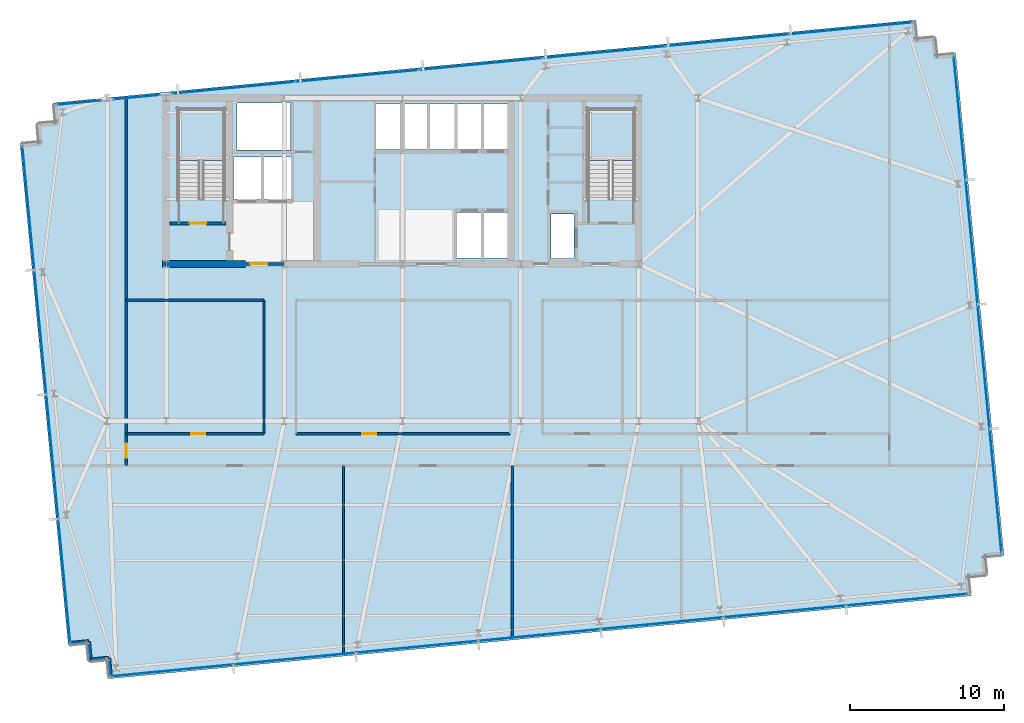
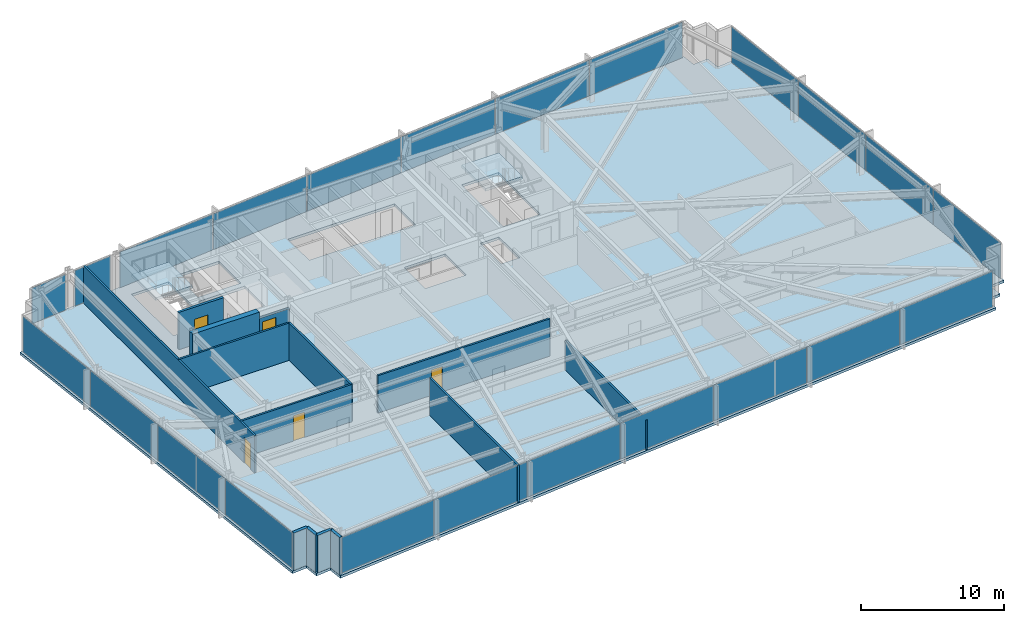
# One storey, part 24 of 32: 23 plates, 14 walls, 5 doors, 3 slabs, 5 openings, 8 elements without a shape of their own.
"""IFC4 building model written with IfcOpenShell, lengths in metres."""

import ifcopenshell
import ifcopenshell.guid

model = None  # the IFC model being written
_history = None  # IfcOwnerHistory: only IFC2X3 demands one
_inside = {}  # id of a spatial element -> (the spatial element, [elements in it])
_under = {}  # id of a project, library or spatial element -> (it, [spatial elements below it])
_declared = {}  # id of a project -> (the project, [libraries it declares])
_typed = {}  # id of a type object -> (the type object, [elements of that type])
_made_of = {}  # id of a material, layer set ... -> (it, [elements and type objects made of it])


def new_model(schema):
    """Start an empty IFC model of exactly this schema.

    Asked for "IFC4X3", IfcOpenShell would pick the latest addendum, in which some entities
    have other attributes; the version numbers below select the first issue.
    IFC2X3 requires an IfcOwnerHistory on every rooted entity: one is made here for all.
    """
    global model, _history
    if schema == "IFC4X3":
        model = ifcopenshell.file(schema_version=(4, 3, 0, 0))
    else:
        model = ifcopenshell.file(schema=schema)
    _inside.clear()
    _under.clear()
    _declared.clear()
    _typed.clear()
    _made_of.clear()
    _history = None
    if model.schema == "IFC2X3":
        org = make("IfcOrganization", Name="unknown")
        user = make(
            "IfcPersonAndOrganization",
            ThePerson=make("IfcPerson", FamilyName="unknown"),
            TheOrganization=org,
        )
        app = make(
            "IfcApplication",
            ApplicationDeveloper=org,
            Version="unknown",
            ApplicationFullName="unknown",
            ApplicationIdentifier="unknown",
        )
        _history = make(
            "IfcOwnerHistory",
            OwningUser=user,
            OwningApplication=app,
            ChangeAction="ADDED",
            CreationDate=0,
        )
    return model


def make(cls, **values):
    """One entity of the class cls with the attributes given. An attribute that is None is left unset."""
    return model.create_entity(
        cls, **{name: value for name, value in values.items() if value is not None}
    )


def rooted(cls, **values):
    """An entity with a GlobalId (a new one), such as an element, a storey or a relation."""
    return make(cls, GlobalId=ifcopenshell.guid.new(), OwnerHistory=_history, **values)


def si_unit(unit_type, name, prefix=None):
    """IfcSIUnit, for example si_unit("LENGTHUNIT", "METRE", prefix="MILLI")."""
    return make("IfcSIUnit", UnitType=unit_type, Prefix=prefix, Name=name)


def assignment(units):
    """IfcUnitAssignment: the units of a project."""
    return None if units is None else make("IfcUnitAssignment", Units=units)


def point(xyz):
    """IfcCartesianPoint."""
    return None if xyz is None else make("IfcCartesianPoint", Coordinates=xyz)


def direction(xyz):
    """IfcDirection."""
    return None if xyz is None else make("IfcDirection", DirectionRatios=xyz)


def frame(location, z_axis=None, x_axis=None):
    """IfcAxis2Placement3D, a coordinate frame: its origin and axes. An axis left out is left unset."""
    return make(
        "IfcAxis2Placement3D",
        Location=point(location),
        Axis=direction(z_axis),
        RefDirection=direction(x_axis),
    )


def frame_2d(location, x_axis=None):
    """IfcAxis2Placement2D, a coordinate frame in the plane: its origin and x axis."""
    return make(
        "IfcAxis2Placement2D", Location=point(location), RefDirection=direction(x_axis)
    )


def origin():
    """The frame at (0, 0, 0) with its axes left unset."""
    return frame((0.0, 0.0, 0.0))


def origin_2d():
    """The frame at (0, 0) in the plane with its x axis left unset."""
    return frame_2d((0.0, 0.0))


def place(relative_to, where):
    """IfcLocalPlacement: puts the frame where relative to a parent placement (None: the world)."""
    return make(
        "IfcLocalPlacement", PlacementRelTo=relative_to, RelativePlacement=where
    )


def context(
    kind, dimensions, precision=None, world=None, true_north=None, identifier=None
):
    """IfcGeometricRepresentationContext, for example the 3D "Model" context."""
    return make(
        "IfcGeometricRepresentationContext",
        ContextIdentifier=identifier,
        ContextType=kind,
        CoordinateSpaceDimension=dimensions,
        Precision=precision,
        WorldCoordinateSystem=world,
        TrueNorth=true_north,
    )


def subcontext(parent, identifier, kind, view, scale=None):
    """IfcGeometricRepresentationSubContext, for example "Body" below "Model"."""
    return make(
        "IfcGeometricRepresentationSubContext",
        ContextIdentifier=identifier,
        ContextType=kind,
        ParentContext=parent,
        TargetScale=scale,
        TargetView=view,
    )


def project(units=None, contexts=None):
    """IfcProject with its units and contexts."""
    return rooted(
        "IfcProject",
        Name="project",
        RepresentationContexts=contexts,
        UnitsInContext=assignment(units),
    )


def spatial(cls, under=None, at=None, **own):
    """A site, building, storey or space (cls), placed at a placement, below another one or the project."""
    s = rooted(cls, ObjectPlacement=at, **own)
    if under is not None:
        _under.setdefault(under.id(), (under, []))[1].append(s)
    return s


def polyline(points):
    """IfcPolyline through the points."""
    return make("IfcPolyline", Points=[point(p) for p in points])


def profile(cls, at=None, kind="AREA", **sizes):
    """A parametric profile (cls). Its sizes go by their IFC names, for example OverallWidth=200.0."""
    return make(cls, ProfileType=kind, Position=at, **sizes)


def rectangle(**sizes):
    """IfcRectangleProfileDef."""
    return profile("IfcRectangleProfileDef", **sizes)


def outline(outer, holes=None, kind="AREA"):
    """IfcArbitraryClosedProfileDef: a profile drawn as a closed curve; with holes, ...WithVoids."""
    if holes is None:
        return make("IfcArbitraryClosedProfileDef", ProfileType=kind, OuterCurve=outer)
    return make(
        "IfcArbitraryProfileDefWithVoids",
        ProfileType=kind,
        OuterCurve=outer,
        InnerCurves=holes,
    )


def extrude(swept, where, along, depth):
    """IfcExtrudedAreaSolid: the profile swept, set in the frame where, extruded along a direction by depth."""
    return make(
        "IfcExtrudedAreaSolid",
        SweptArea=swept,
        Position=where,
        ExtrudedDirection=direction(along),
        Depth=depth,
    )


def shape(context_of_items, identifier, shape_type, items):
    """IfcShapeRepresentation: the items that make up one representation, for example the "Body"."""
    return make(
        "IfcShapeRepresentation",
        ContextOfItems=context_of_items,
        RepresentationIdentifier=identifier,
        RepresentationType=shape_type,
        Items=items,
    )


def material(Name=None, Category=None):
    """IfcMaterial."""
    return make("IfcMaterial", Name=Name, Category=Category)


def layer(
    of_material, thickness, ventilated=None, Name=None, Category=None, Priority=None
):
    """IfcMaterialLayer: one layer of a wall or slab, of a material (None: an air gap)."""
    return make(
        "IfcMaterialLayer",
        Material=of_material,
        LayerThickness=thickness,
        IsVentilated=ventilated,
        Name=Name,
        Category=Category,
        Priority=Priority,
    )


def layer_set(layers, Name=None):
    """IfcMaterialLayerSet."""
    return make("IfcMaterialLayerSet", MaterialLayers=layers, LayerSetName=Name)


def made_of(thing, what):
    """Note that an element or type object is made of a material, layer set ...; save() writes the relation."""
    if what is not None:
        _made_of.setdefault(what.id(), (what, []))[1].append(thing)
    return thing


def type_object(cls, material=None, **own):
    """A type object (cls), such as IfcWallType, which elements share."""
    return made_of(rooted(cls, **own), material)


def element(
    cls,
    number,
    at=None,
    inside=None,
    cuts=None,
    type_object=None,
    material=None,
    context=None,
    identifier="Body",
    shape_type=None,
    held_by="IfcProductDefinitionShape",
    body=None,
    shapes=None,
    **own,
):
    """One element of the class cls, such as IfcWall. Its Tag is "e" and its number.

    at: its placement. inside: the storey or other place that contains it. cuts: it is an
    opening in that element (IfcRelVoidsElement). A single representation is given by context,
    identifier, shape_type and body (its items); several are given by shapes. held_by: the class
    of the entity that holds the representations. save() writes the other relations.
    """
    e = rooted(cls, Tag="e%d" % number, ObjectPlacement=at, **own)
    if body is not None:
        shapes = [shape(context, identifier, shape_type, body)]
    if shapes is not None:
        e.Representation = make(held_by, Representations=shapes)
    if inside is not None:
        _inside.setdefault(inside.id(), (inside, []))[1].append(e)
    if cuts is not None:
        rooted(
            "IfcRelVoidsElement", RelatingBuildingElement=cuts, RelatedOpeningElement=e
        )
    if type_object is not None:
        _typed.setdefault(type_object.id(), (type_object, []))[1].append(e)
    return made_of(e, material)


def fill(opening, filler):
    """IfcRelFillsElement: the door or window that sits in an opening."""
    return rooted(
        "IfcRelFillsElement",
        RelatingOpeningElement=opening,
        RelatedBuildingElement=filler,
    )


def aggregate(whole, parts):
    """IfcRelAggregates: a whole, such as a stair, and the parts it consists of."""
    return rooted("IfcRelAggregates", RelatingObject=whole, RelatedObjects=parts)


def save(model, path):
    """Write the relations noted so far, then the file.

    IfcRelAggregates (storeys below a building ...), IfcRelContainedInSpatialStructure (elements
    in a storey), IfcRelDefinesByType, IfcRelAssociatesMaterial and IfcRelDeclares: one each for
    every whole, place, type object, material and project.
    """
    for whole, parts in _under.values():
        aggregate(whole, parts)
    for where, things in _inside.values():
        rooted(
            "IfcRelContainedInSpatialStructure",
            RelatedElements=things,
            RelatingStructure=where,
        )
    for kind, things in _typed.values():
        rooted("IfcRelDefinesByType", RelatedObjects=things, RelatingType=kind)
    for what, things in _made_of.values():
        rooted("IfcRelAssociatesMaterial", RelatedObjects=things, RelatingMaterial=what)
    for by, libraries in _declared.values():
        rooted("IfcRelDeclares", RelatingContext=by, RelatedDefinitions=libraries)
    model.write(path)


model = new_model("IFC4")

# Units and contexts
model_context = context("Model", 3, precision=1e-05, world=origin(), true_north=direction((0.0, 1.0)))
body_context = subcontext(model_context, "Body", "Model", "MODEL_VIEW")
ifc_project = project(units=[si_unit("LENGTHUNIT", "METRE"), si_unit("AREAUNIT", "SQUARE_METRE"), si_unit("VOLUMEUNIT", "CUBIC_METRE"), si_unit("PLANEANGLEUNIT", "RADIAN"), si_unit("MASSUNIT", "GRAM", prefix="KILO")], contexts=[model_context])

# Site, building, storey
site_placement = place(None, origin())
site = spatial("IfcSite", under=ifc_project, at=site_placement, CompositionType="ELEMENT")
building_placement = place(site_placement, origin())
building = spatial("IfcBuilding", under=site, at=building_placement, Name="Yelkora Congress Tower", CompositionType="ELEMENT")
storey_placement = place(building_placement, frame((0.0, 0.0, 96.5)))
storey = spatial("IfcBuildingStorey", under=building, at=storey_placement, Name="L25", CompositionType="ELEMENT", Elevation=96.5)

# Curtain wall, plates
ifc_material_1 = material(Name="Anodised aluminium and insulated glass", Category="aluminium")
curtain_wall_type = type_object("IfcCurtainWallType", Name="CW-SYS-B2", PredefinedType="NOTDEFINED", material=ifc_material_1)
curtain_wall_1_placement = place(storey_placement, origin())
curtain_wall_1 = element("IfcCurtainWall", 1, at=curtain_wall_1_placement, inside=storey, type_object=curtain_wall_type, Name="L25 Unitised Curtain Wall 5", PredefinedType="NOTDEFINED")
ifc_material_2 = material(Name="Solar-control low-E glass unit B2", Category="glass")
ifc_layer_1 = layer(ifc_material_2, 0.0380859375)
ifc_layer_set_1 = layer_set([ifc_layer_1], Name="Solar-control low-E glass unit B2")
plate_type = type_object("IfcPlateType", Name="PLT-PN-B2", PredefinedType="CURTAIN_PANEL", material=ifc_layer_set_1)
plate_1_placement = place(storey_placement, frame((16.41650390625, 14.820068359375, 0.06494140625), z_axis=(0.0, 0.0, 1.0), x_axis=(-0.095842541913, 0.995396507508, 0.0)))
plate_1 = element("IfcPlate", 2, at=plate_1_placement, type_object=plate_type, Name="CW-B2 panel 1.1", PredefinedType="CURTAIN_PANEL", context=body_context, shape_type="SweptSolid", body=[
    extrude(rectangle(XDim=8.02490234375, YDim=0.0380859375, at=origin_2d()), origin(), (0.0, 0.0, 1.0), 3.050048828125),
])
plate_2_placement = place(storey_placement, frame((15.638916015625, 22.895263671875, 0.06494140625), z_axis=(0.0, 0.0, 1.0), x_axis=(-0.095842541913, 0.995396507508, 0.0)))
plate_2 = element("IfcPlate", 3, at=plate_2_placement, type_object=plate_type, Name="CW-B2 panel 2.1", PredefinedType="CURTAIN_PANEL", context=body_context, shape_type="SweptSolid", body=[
    extrude(rectangle(XDim=8.06005859375, YDim=0.0380859375, at=origin_2d()), origin(), (0.0, 0.0, 1.0), 3.050048828125),
])
plate_3_placement = place(storey_placement, frame((14.859619140625, 30.98779296875, 0.06494140625), z_axis=(0.0, 0.0, 1.0), x_axis=(-0.095842541913, 0.995396507508, 0.0)))
plate_3 = element("IfcPlate", 4, at=plate_3_placement, type_object=plate_type, Name="CW-B2 panel 3.1", PredefinedType="CURTAIN_PANEL", context=body_context, shape_type="SweptSolid", body=[
    extrude(rectangle(XDim=8.06005859375, YDim=0.0380859375, at=origin_2d()), origin(), (0.0, 0.0, 1.0), 3.050048828125),
])
plate_4_placement = place(storey_placement, frame((14.082275390625, 39.06298828125, 0.06494140625), z_axis=(0.0, 0.0, 1.0), x_axis=(-0.095842541913, 0.995396507508, 0.0)))
plate_4 = element("IfcPlate", 5, at=plate_4_placement, type_object=plate_type, Name="CW-B2 panel 4.1", PredefinedType="CURTAIN_PANEL", context=body_context, shape_type="SweptSolid", body=[
    extrude(rectangle(XDim=8.02490234375, YDim=0.0380859375, at=origin_2d()), origin(), (0.0, 0.0, 1.0), 3.050048828125),
])
aggregate(curtain_wall_1, [plate_1, plate_2, plate_3, plate_4])

# Curtain wall, plate
curtain_wall_2_placement = place(storey_placement, origin())
curtain_wall_2 = element("IfcCurtainWall", 6, at=curtain_wall_2_placement, inside=storey, type_object=curtain_wall_type, Name="L25 Unitised Curtain Wall 10 (1)", PredefinedType="NOTDEFINED")
plate_5_placement = place(storey_placement, frame((17.35888671875, 45.89111328125, 0.06494140625), z_axis=(0.0, 0.0, 1.0), x_axis=(0.99539681521, 0.095839346142, 0.0)))
plate_5 = element("IfcPlate", 7, at=plate_5_placement, type_object=plate_type, Name="CW-B2 panel 1.1", PredefinedType="CURTAIN_PANEL", context=body_context, shape_type="SweptSolid", body=[
    extrude(rectangle(XDim=2.89208984375, YDim=0.0380859375, at=origin_2d()), origin(), (0.0, 0.0, 1.0), 3.050048828125),
])
aggregate(curtain_wall_2, [plate_5])

curtain_wall_3_placement = place(storey_placement, origin())
curtain_wall_3 = element("IfcCurtainWall", 8, at=curtain_wall_3_placement, inside=storey, type_object=curtain_wall_type, Name="L25 Unitised Curtain Wall 10 (2)", PredefinedType="NOTDEFINED")
plate_6_placement = place(storey_placement, frame((21.1201171875, 46.253173828125, 0.06494140625), z_axis=(0.0, 0.0, 1.0), x_axis=(0.99539661748, 0.095841399764, 0.0)))
plate_6 = element("IfcPlate", 9, at=plate_6_placement, type_object=plate_type, Name="CW-B2 panel 1.1", PredefinedType="CURTAIN_PANEL", context=body_context, shape_type="SweptSolid", body=[
    extrude(rectangle(XDim=3.05078125, YDim=0.0380859375, at=origin_2d()), origin(), (0.0, 0.0, 1.0), 3.050048828125),
])
aggregate(curtain_wall_3, [plate_6])

# Curtain wall, plates
curtain_wall_4_placement = place(storey_placement, origin())
curtain_wall_4 = element("IfcCurtainWall", 10, at=curtain_wall_4_placement, inside=storey, type_object=curtain_wall_type, Name="L25 Unitised Curtain Wall 10 (3)", PredefinedType="NOTDEFINED")
plate_7_placement = place(storey_placement, frame((27.409423828125, 46.858642578125, 0.06494140625), z_axis=(0.0, 0.0, 1.0), x_axis=(0.995396344153, 0.095844238468, 0.0)))
plate_7 = element("IfcPlate", 11, at=plate_7_placement, type_object=plate_type, Name="CW-B2 panel 1.1", PredefinedType="CURTAIN_PANEL", context=body_context, shape_type="SweptSolid", body=[
    extrude(rectangle(XDim=7.97216796875, YDim=0.0380859375, at=origin_2d()), origin(), (0.0, 0.0, 1.0), 3.050048828125),
])
plate_8_placement = place(storey_placement, frame((35.431884765625, 47.631103515625, 0.06494140625), z_axis=(0.0, 0.0, 1.0), x_axis=(0.995396344153, 0.095844238468, 0.0)))
plate_8 = element("IfcPlate", 12, at=plate_8_placement, type_object=plate_type, Name="CW-B2 panel 2.1", PredefinedType="CURTAIN_PANEL", context=body_context, shape_type="SweptSolid", body=[
    extrude(rectangle(XDim=8.007080078125, YDim=0.0380859375, at=origin_2d()), origin(), (0.0, 0.0, 1.0), 3.050048828125),
])
plate_9_placement = place(storey_placement, frame((43.471923828125, 48.4052734375, 0.06494140625), z_axis=(0.0, 0.0, 1.0), x_axis=(0.995396344153, 0.095844238468, 0.0)))
plate_9 = element("IfcPlate", 13, at=plate_9_placement, type_object=plate_type, Name="CW-B2 panel 3.1", PredefinedType="CURTAIN_PANEL", context=body_context, shape_type="SweptSolid", body=[
    extrude(rectangle(XDim=8.007080078125, YDim=0.0380859375, at=origin_2d()), origin(), (0.0, 0.0, 1.0), 3.050048828125),
])
plate_10_placement = place(storey_placement, frame((51.511962890625, 49.179443359375, 0.06494140625), z_axis=(0.0, 0.0, 1.0), x_axis=(0.995396344153, 0.095844238468, 0.0)))
plate_10 = element("IfcPlate", 14, at=plate_10_placement, type_object=plate_type, Name="CW-B2 panel 4.1", PredefinedType="CURTAIN_PANEL", context=body_context, shape_type="SweptSolid", body=[
    extrude(rectangle(XDim=8.007080078125, YDim=0.0380859375, at=origin_2d()), origin(), (0.0, 0.0, 1.0), 3.050048828125),
])
plate_11_placement = place(storey_placement, frame((59.552001953125, 49.95361328125, 0.06494140625), z_axis=(0.0, 0.0, 1.0), x_axis=(0.995396344153, 0.095844238468, 0.0)))
plate_11 = element("IfcPlate", 15, at=plate_11_placement, type_object=plate_type, Name="CW-B2 panel 5.1", PredefinedType="CURTAIN_PANEL", context=body_context, shape_type="SweptSolid", body=[
    extrude(rectangle(XDim=8.007080078125, YDim=0.0380859375, at=origin_2d()), origin(), (0.0, 0.0, 1.0), 3.050048828125),
])
plate_12_placement = place(storey_placement, frame((67.574462890625, 50.72607421875, 0.06494140625), z_axis=(0.0, 0.0, 1.0), x_axis=(0.995396344153, 0.095844238468, 0.0)))
plate_12 = element("IfcPlate", 16, at=plate_12_placement, type_object=plate_type, Name="CW-B2 panel 6.1", PredefinedType="CURTAIN_PANEL", context=body_context, shape_type="SweptSolid", body=[
    extrude(rectangle(XDim=7.97216796875, YDim=0.0380859375, at=origin_2d()), origin(), (0.0, 0.0, 1.0), 3.050048828125),
])
aggregate(curtain_wall_4, [plate_7, plate_8, plate_9, plate_10, plate_11, plate_12])

curtain_wall_5_placement = place(storey_placement, origin())
curtain_wall_5 = element("IfcCurtainWall", 17, at=curtain_wall_5_placement, inside=storey, type_object=curtain_wall_type, Name="L25 Unitised Curtain Wall 15", PredefinedType="NOTDEFINED")
plate_13_placement = place(storey_placement, frame((74.6220703125, 44.892333984375, 0.06494140625), z_axis=(0.0, 0.0, 1.0), x_axis=(0.095842541913, -0.995396507508, 0.0)))
plate_13 = element("IfcPlate", 18, at=plate_13_placement, type_object=plate_type, Name="CW-B2 panel 1.1", PredefinedType="CURTAIN_PANEL", context=body_context, shape_type="SweptSolid", body=[
    extrude(rectangle(XDim=8.02490234375, YDim=0.0380859375, at=origin_2d()), origin(), (0.0, 0.0, 1.0), 3.050048828125),
])
plate_14_placement = place(storey_placement, frame((75.399658203125, 36.817138671875, 0.06494140625), z_axis=(0.0, 0.0, 1.0), x_axis=(0.095842541913, -0.995396507508, 0.0)))
plate_14 = element("IfcPlate", 19, at=plate_14_placement, type_object=plate_type, Name="CW-B2 panel 2.1", PredefinedType="CURTAIN_PANEL", context=body_context, shape_type="SweptSolid", body=[
    extrude(rectangle(XDim=8.06005859375, YDim=0.0380859375, at=origin_2d()), origin(), (0.0, 0.0, 1.0), 3.050048828125),
])
plate_15_placement = place(storey_placement, frame((76.178955078125, 28.724609375, 0.06494140625), z_axis=(0.0, 0.0, 1.0), x_axis=(0.095842541913, -0.995396507508, 0.0)))
plate_15 = element("IfcPlate", 20, at=plate_15_placement, type_object=plate_type, Name="CW-B2 panel 3.1", PredefinedType="CURTAIN_PANEL", context=body_context, shape_type="SweptSolid", body=[
    extrude(rectangle(XDim=8.06005859375, YDim=0.0380859375, at=origin_2d()), origin(), (0.0, 0.0, 1.0), 3.050048828125),
])
plate_16_placement = place(storey_placement, frame((76.95654296875, 20.6494140625, 0.06494140625), z_axis=(0.0, 0.0, 1.0), x_axis=(0.095842541913, -0.995396507508, 0.0)))
plate_16 = element("IfcPlate", 21, at=plate_16_placement, type_object=plate_type, Name="CW-B2 panel 4.1", PredefinedType="CURTAIN_PANEL", context=body_context, shape_type="SweptSolid", body=[
    extrude(rectangle(XDim=8.02490234375, YDim=0.0380859375, at=origin_2d()), origin(), (0.0, 0.0, 1.0), 3.050048828125),
])
aggregate(curtain_wall_5, [plate_13, plate_14, plate_15, plate_16])

curtain_wall_6_placement = place(storey_placement, origin())
curtain_wall_6 = element("IfcCurtainWall", 22, at=curtain_wall_6_placement, inside=storey, type_object=curtain_wall_type, Name="L25 Unitised Curtain Wall 20", PredefinedType="NOTDEFINED")
plate_17_placement = place(storey_placement, frame((71.1884765625, 13.58154296875, 0.06494140625), z_axis=(0.0, 0.0, 1.0), x_axis=(-0.995396333816, -0.095844345816, 0.0)))
plate_17 = element("IfcPlate", 23, at=plate_17_placement, type_object=plate_type, Name="CW-B2 panel 1.1", PredefinedType="CURTAIN_PANEL", context=body_context, shape_type="SweptSolid", body=[
    extrude(rectangle(XDim=7.89794921875, YDim=0.0380859375, at=origin_2d()), origin(), (0.0, 0.0, 1.0), 3.050048828125),
])
plate_18_placement = place(storey_placement, frame((63.23974609375, 12.816162109375, 0.06494140625), z_axis=(0.0, 0.0, 1.0), x_axis=(-0.995396333816, -0.095844345816, 0.0)))
plate_18 = element("IfcPlate", 24, at=plate_18_placement, type_object=plate_type, Name="CW-B2 panel 2.1", PredefinedType="CURTAIN_PANEL", context=body_context, shape_type="SweptSolid", body=[
    extrude(rectangle(XDim=7.932861328125, YDim=0.0380859375, at=origin_2d()), origin(), (0.0, 0.0, 1.0), 3.050048828125),
])
plate_19_placement = place(storey_placement, frame((55.273681640625, 12.049072265625, 0.06494140625), z_axis=(0.0, 0.0, 1.0), x_axis=(-0.995396333816, -0.095844345816, 0.0)))
plate_19 = element("IfcPlate", 25, at=plate_19_placement, type_object=plate_type, Name="CW-B2 panel 3.1", PredefinedType="CURTAIN_PANEL", context=body_context, shape_type="SweptSolid", body=[
    extrude(rectangle(XDim=7.932861328125, YDim=0.0380859375, at=origin_2d()), origin(), (0.0, 0.0, 1.0), 3.050048828125),
])
plate_20_placement = place(storey_placement, frame((47.307861328125, 11.281982421875, 0.06494140625), z_axis=(0.0, 0.0, 1.0), x_axis=(-0.995396333816, -0.095844345816, 0.0)))
plate_20 = element("IfcPlate", 26, at=plate_20_placement, type_object=plate_type, Name="CW-B2 panel 4.1", PredefinedType="CURTAIN_PANEL", context=body_context, shape_type="SweptSolid", body=[
    extrude(rectangle(XDim=7.932861328125, YDim=0.0380859375, at=origin_2d()), origin(), (0.0, 0.0, 1.0), 3.050048828125),
])
plate_21_placement = place(storey_placement, frame((39.341796875, 10.51513671875, 0.06494140625), z_axis=(0.0, 0.0, 1.0), x_axis=(-0.995396333816, -0.095844345816, 0.0)))
plate_21 = element("IfcPlate", 27, at=plate_21_placement, type_object=plate_type, Name="CW-B2 panel 5.1", PredefinedType="CURTAIN_PANEL", context=body_context, shape_type="SweptSolid", body=[
    extrude(rectangle(XDim=7.932861328125, YDim=0.0380859375, at=origin_2d()), origin(), (0.0, 0.0, 1.0), 3.050048828125),
])
plate_22_placement = place(storey_placement, frame((31.375732421875, 9.748046875, 0.06494140625), z_axis=(0.0, 0.0, 1.0), x_axis=(-0.995396333816, -0.095844345816, 0.0)))
plate_22 = element("IfcPlate", 28, at=plate_22_placement, type_object=plate_type, Name="CW-B2 panel 6.1", PredefinedType="CURTAIN_PANEL", context=body_context, shape_type="SweptSolid", body=[
    extrude(rectangle(XDim=7.932861328125, YDim=0.0380859375, at=origin_2d()), origin(), (0.0, 0.0, 1.0), 3.050048828125),
])
plate_23_placement = place(storey_placement, frame((23.42724609375, 8.982666015625, 0.06494140625), z_axis=(0.0, 0.0, 1.0), x_axis=(-0.995396333816, -0.095844345816, 0.0)))
plate_23 = element("IfcPlate", 29, at=plate_23_placement, type_object=plate_type, Name="CW-B2 panel 7.1", PredefinedType="CURTAIN_PANEL", context=body_context, shape_type="SweptSolid", body=[
    extrude(rectangle(XDim=7.89794921875, YDim=0.0380859375, at=origin_2d()), origin(), (0.0, 0.0, 1.0), 3.050048828125),
])
aggregate(curtain_wall_6, [plate_17, plate_18, plate_19, plate_20, plate_21, plate_22, plate_23])

# Stair, slab
ifc_material_3 = material(Name="Concrete C40/50", Category="concrete")
stair_type = type_object("IfcStairType", Name="STAIR-HT-1420-R20-170", PredefinedType="HALF_TURN_STAIR", material=ifc_material_3)
stair_1_placement = place(storey_placement, origin())
stair_1 = element("IfcStair", 30, at=stair_1_placement, inside=storey, type_object=stair_type, Name="West Core Protected Exit Stair ST-01 (L25)", PredefinedType="HALF_TURN_STAIR")
ifc_layer_2 = layer(ifc_material_3, 0.219970703125)
ifc_layer_set_2 = layer_set([ifc_layer_2], Name="Concrete C40/50")
slab_type_1 = type_object("IfcSlabType", Name="SLAB-LANDING-220", PredefinedType="LANDING", material=ifc_layer_set_2)
slab_1_placement = place(storey_placement, frame((0.0, 0.0, 1.47998046875)))
slab_1 = element("IfcSlab", 31, at=slab_1_placement, type_object=slab_type_1, Name="ST-01 L25 Half Landing 1", PredefinedType="LANDING", context=body_context, shape_type="SweptSolid", body=[
    extrude(outline(polyline([(26.820068359375, 42.1201171875), (26.820068359375, 45.469970703125), (23.820068359375, 45.469970703125), (23.820068359375, 42.1201171875), (26.820068359375, 42.1201171875)])), origin(), (0.0, 0.0, 1.0), 0.219970703125),
])
aggregate(stair_1, [slab_1])

stair_2_placement = place(storey_placement, origin())
stair_2 = element("IfcStair", 32, at=stair_2_placement, inside=storey, type_object=stair_type, Name="East Core Protected Exit Stair ST-02 (L25)", PredefinedType="HALF_TURN_STAIR")
slab_2_placement = place(storey_placement, frame((0.0, 0.0, 1.47998046875)))
slab_2 = element("IfcSlab", 33, at=slab_2_placement, type_object=slab_type_1, Name="ST-02 L25 Half Landing 1", PredefinedType="LANDING", context=body_context, shape_type="SweptSolid", body=[
    extrude(outline(polyline([(53.4599609375, 42.1201171875), (53.4599609375, 45.469970703125), (50.4599609375, 45.469970703125), (50.4599609375, 42.1201171875), (53.4599609375, 42.1201171875)])), origin(), (0.0, 0.0, 1.0), 0.219970703125),
])
aggregate(stair_2, [slab_2])

# Slab
ifc_layer_3 = layer(ifc_material_3, 0.219970703125)
ifc_layer_set_3 = layer_set([ifc_layer_3], Name="Concrete C40/50")
slab_type_2 = type_object("IfcSlabType", Name="SLAB-TWR-220", PredefinedType="FLOOR", material=ifc_layer_set_3)
slab_3_placement = place(storey_placement, frame((0.0, 0.0, -0.219970703125)))
element("IfcSlab", 34, at=slab_3_placement, inside=storey, type_object=slab_type_2, Name="L25 Structural Floor Slab", PredefinedType="FLOOR", context=body_context, shape_type="SweptSolid", body=[
    extrude(outline(polyline([(19.30078125, 8.444580078125), (75.341552734375, 13.8408203125), (75.2265625, 15.035400390625), (76.421142578125, 15.150390625), (76.30615234375, 16.3447265625), (77.50048828125, 16.459716796875), (74.356689453125, 49.10888671875), (73.162353515625, 48.99365234375), (73.04736328125, 50.188232421875), (71.852783203125, 50.0732421875), (71.73779296875, 51.267578125), (15.697021484375, 45.87158203125), (15.81201171875, 44.677001953125), (14.61767578125, 44.56201171875), (14.732666015625, 43.36767578125), (13.5380859375, 43.252685546875), (16.681884765625, 10.603515625), (17.876220703125, 10.718505859375), (17.9912109375, 9.524169921875), (19.185791015625, 9.63916015625), (19.30078125, 8.444580078125)]), holes=[polyline([(23.820068359375, 39.6298828125), (26.820068359375, 39.6298828125), (26.820068359375, 45.469970703125), (23.820068359375, 45.469970703125), (23.820068359375, 39.6298828125)]), polyline([(50.4599609375, 39.6298828125), (53.4599609375, 39.6298828125), (53.4599609375, 45.469970703125), (50.4599609375, 45.469970703125), (50.4599609375, 39.6298828125)]), polyline([(48.050048828125, 35.75), (49.550048828125, 35.75), (49.550048828125, 38.64990234375), (48.050048828125, 38.64990234375), (48.050048828125, 35.75)]), polyline([(36.64990234375, 42.85009765625), (45.25, 42.85009765625), (45.25, 45.800048828125), (36.64990234375, 45.800048828125), (36.64990234375, 42.85009765625)]), polyline([(41.949951171875, 35.800048828125), (45.25, 35.800048828125), (45.25, 38.75), (41.949951171875, 38.75), (41.949951171875, 35.800048828125)]), polyline([(27.419921875, 39.60009765625), (31.179931640625, 39.60009765625), (31.179931640625, 42.35009765625), (27.419921875, 42.35009765625), (27.419921875, 39.60009765625)]), polyline([(27.64990234375, 42.820068359375), (31.1201171875, 42.820068359375), (31.1201171875, 45.8798828125), (27.64990234375, 45.8798828125), (27.64990234375, 42.820068359375)])]), origin(), (0.0, 0.0, 1.0), 0.219970703125),
])

# Walls
ifc_material_4 = material(Name="Concrete C60/75", Category="concrete")
ifc_layer_4 = layer(ifc_material_4, 0.449951171875)
ifc_layer_set_4 = layer_set([ifc_layer_4], Name="Concrete C60/75")
wall_type_1 = type_object("IfcWallType", Name="WALL-CORE-INT-450", PredefinedType="SHEAR", material=ifc_layer_set_4)
wall_1_placement = place(storey_placement, frame((22.81494140625, 35.39990234375, 0.0), z_axis=(0.0, 0.0, 1.0), x_axis=(1.0, 0.0, 0.0)))
element("IfcWall", 35, at=wall_1_placement, inside=storey, type_object=wall_type_1, Name="L25 Rear Core South-West Shear Wall", PredefinedType="SHEAR", context=body_context, shape_type="SweptSolid", body=[
    extrude(rectangle(XDim=5.385009765625, YDim=0.449951171875, at=frame_2d((2.6923828125, 0.0))), origin(), (0.0, 0.0, 1.0), 3.179931640625),
])
ifc_layer_5 = layer(ifc_material_3, 0.239990234375)
ifc_layer_set_5 = layer_set([ifc_layer_5], Name="Concrete C40/50")
wall_type_2 = type_object("IfcWallType", Name="WALL-EXT-LIMESTONE-240", PredefinedType="SOLIDWALL", material=ifc_layer_set_5)
for number, where, z_axis, x_axis, name in (
    (36, (19.4267578125, 8.597412109375, 0.0), (0.0, 0.0, 1.0), (-0.095817067274, 0.995398960025, 0.0), "L25 Serrated Corner Limestone Pier 1"),
    (37, (19.311767578125, 9.7919921875, 0.0), (0.0, 0.0, 1.0), (-0.995398960025, -0.095817067274, 0.0), "L25 Serrated Corner Limestone Pier 2"),
):
    element("IfcWall", number, at=place(storey_placement, frame(where, z_axis=z_axis, x_axis=x_axis)), inside=storey, type_object=wall_type_2, Name=name, PredefinedType="SOLIDWALL", context=body_context, shape_type="SweptSolid", body=[
        extrude(rectangle(XDim=1.2001953125, YDim=0.239990234375, at=frame_2d((0.60009765625, 0.0))), origin(), (0.0, 0.0, 1.0), 3.179931640625),
    ])
wall_2_placement = place(storey_placement, frame((18.1171875, 9.677001953125, 0.0), z_axis=(0.0, 0.0, 1.0), x_axis=(-0.095836473879, 0.995397091755, 0.0)))
element("IfcWall", 38, at=wall_2_placement, inside=storey, type_object=wall_type_2, Name="L25 Serrated Corner Limestone Pier 3", PredefinedType="SOLIDWALL", context=body_context, shape_type="SweptSolid", body=[
    extrude(rectangle(XDim=1.199951171875, YDim=0.239990234375, at=frame_2d((0.60009765625, 0.0))), origin(), (0.0, 0.0, 1.0), 3.179931640625),
])
wall_3_placement = place(storey_placement, frame((18.002197265625, 10.871337890625, 0.0), z_axis=(0.0, 0.0, 1.0), x_axis=(-0.995398960025, -0.095817067274, 0.0)))
element("IfcWall", 39, at=wall_3_placement, inside=storey, type_object=wall_type_2, Name="L25 Serrated Corner Limestone Pier 4", PredefinedType="SOLIDWALL", context=body_context, shape_type="SweptSolid", body=[
    extrude(rectangle(XDim=1.2001953125, YDim=0.239990234375, at=frame_2d((0.60009765625, 0.0))), origin(), (0.0, 0.0, 1.0), 3.179931640625),
])
ifc_material_5 = material(Name="Acoustic metal-stud gypsum partition", Category="gypsum")
ifc_layer_6 = layer(ifc_material_5, 0.14990234375)
ifc_layer_set_6 = layer_set([ifc_layer_6], Name="Acoustic metal-stud gypsum partition")
wall_type_3 = type_object("IfcWallType", Name="WALL-INT-150-NR", PredefinedType="PARTITIONING", material=ifc_layer_set_6)
wall_4_placement = place(storey_placement, frame((34.56591796875, 9.994873046875, 0.0), z_axis=(0.0, 0.0, 1.0), x_axis=(0.0, 1.0, 0.0)))
element("IfcWall", 40, at=wall_4_placement, inside=storey, type_object=wall_type_3, Name="L25 Partition Wall 28", PredefinedType="PARTITIONING", context=body_context, shape_type="SweptSolid", body=[
    extrude(rectangle(XDim=12.3251953125, YDim=0.14990234375, at=frame_2d((6.16259765625, 0.0))), origin(), (0.0, 0.0, 1.0), 3.179931640625),
])
wall_5_placement = place(storey_placement, frame((45.5390625, 11.051513671875, 0.0), z_axis=(0.0, 0.0, 1.0), x_axis=(0.0, 1.0, 0.0)))
element("IfcWall", 41, at=wall_5_placement, inside=storey, type_object=wall_type_3, Name="L25 Partition Wall 29", PredefinedType="PARTITIONING", context=body_context, shape_type="SweptSolid", body=[
    extrude(rectangle(XDim=11.2685546875, YDim=0.14990234375, at=frame_2d((5.63427734375, 0.0))), origin(), (0.0, 0.0, 1.0), 2.52490234375),
])

# Wall, opening, door
wall_6_placement = place(storey_placement, frame((20.43603515625, 22.300048828125, 0.0), z_axis=(0.0, 0.0, 1.0), x_axis=(0.0, 1.0, 0.0)))
wall_6 = element("IfcWall", 42, at=wall_6_placement, inside=storey, type_object=wall_type_3, Name="L25 Partition Wall 32", PredefinedType="PARTITIONING", context=body_context, shape_type="SweptSolid", body=[
    extrude(rectangle(XDim=23.947509765625, YDim=0.14990234375, at=frame_2d((11.9736328125, 0.0))), origin(), (0.0, 0.0, 1.0), 3.179931640625),
])
opening_1_placement = place(wall_6_placement, frame((0.528076171875, 0.0, 0.0)))
opening_1 = element("IfcOpeningElement", 43, at=opening_1_placement, cuts=wall_6, Name="Opening DR-090N", PredefinedType="OPENING", context=body_context, shape_type="SweptSolid", body=[
    extrude(rectangle(XDim=0.89990234375, YDim=2.14990234375, at=frame_2d((0.449951171875, 1.074951171875))), frame((0.0, 0.0849609375, 0.0), z_axis=(0.0, -1.0, 0.0), x_axis=(1.0, 0.0, 0.0)), (0.0, 0.0, 1.0), 0.169921875),
])
ifc_material_6 = material(Name="Moisture-resistant laminate door leaf", Category="wood")
door_type_1 = type_object("IfcDoorType", Name="DOOR-INT-900", OperationType="NOTDEFINED", PredefinedType="DOOR", material=ifc_material_6)
door_1_placement = place(opening_1_placement, origin())
door_1 = element("IfcDoor", 44, at=door_1_placement, inside=storey, type_object=door_type_1, Name="L25 W Wing Door", OperationType="SINGLE_SWING_RIGHT", OverallHeight=2.14990234375, OverallWidth=0.89990234375, PredefinedType="DOOR", context=body_context, shape_type="SweptSolid", body=[
    extrude(rectangle(XDim=0.89990234375, YDim=2.14990234375, at=frame_2d((0.449951171875, 1.074951171875))), frame((0.0, 0.02490234375, 0.0), z_axis=(0.0, -1.0, 0.0), x_axis=(1.0, 0.0, 0.0)), (0.0, 0.0, 1.0), 0.050048828125),
])
fill(opening_1, door_1)

# Walls
wall_7_placement = place(storey_placement, frame((29.39990234375, 24.3798828125, 0.0), z_axis=(0.0, 0.0, 1.0), x_axis=(0.0, 1.0, 0.0)))
element("IfcWall", 45, at=wall_7_placement, inside=storey, type_object=wall_type_3, Name="L25 Partition Wall 34", PredefinedType="PARTITIONING", context=body_context, shape_type="SweptSolid", body=[
    extrude(rectangle(XDim=8.670166015625, YDim=0.14990234375, at=frame_2d((4.3349609375, 0.0))), origin(), (0.0, 0.0, 1.0), 3.179931640625),
])
wall_8_placement = place(storey_placement, frame((20.43603515625, 33.050048828125, 0.0), z_axis=(0.0, 0.0, 1.0), x_axis=(1.0, 0.0, 0.0)))
element("IfcWall", 46, at=wall_8_placement, inside=storey, type_object=wall_type_3, Name="L25 Partition Wall 38", PredefinedType="PARTITIONING", context=body_context, shape_type="SweptSolid", body=[
    extrude(rectangle(XDim=8.9638671875, YDim=0.14990234375, at=frame_2d((4.48193359375, 0.0))), origin(), (0.0, 0.0, 1.0), 3.179931640625),
])

# Wall, opening, door
wall_9_placement = place(storey_placement, frame((20.4560546875, 24.3798828125, 0.0), z_axis=(0.0, 0.0, 1.0), x_axis=(1.0, 0.0, 0.0)))
wall_9 = element("IfcWall", 47, at=wall_9_placement, inside=storey, type_object=wall_type_3, Name="L25 Partition Wall 41", PredefinedType="PARTITIONING", context=body_context, shape_type="SweptSolid", body=[
    extrude(rectangle(XDim=8.933837890625, YDim=0.14990234375, at=frame_2d((4.466796875, 0.0))), origin(), (0.0, 0.0, 1.0), 3.179931640625),
])
opening_2_placement = place(wall_9_placement, frame((4.227294921875, 0.0, 0.0)))
opening_2 = element("IfcOpeningElement", 48, at=opening_2_placement, cuts=wall_9, Name="Opening DR-090N", PredefinedType="OPENING", context=body_context, shape_type="SweptSolid", body=[
    extrude(rectangle(XDim=0.89990234375, YDim=2.14990234375, at=frame_2d((0.449951171875, 1.074951171875))), frame((0.0, 0.0849609375, 0.0), z_axis=(0.0, -1.0, 0.0), x_axis=(1.0, 0.0, 0.0)), (0.0, 0.0, 1.0), 0.169921875),
])
door_2_placement = place(opening_2_placement, origin())
door_2 = element("IfcDoor", 49, at=door_2_placement, inside=storey, type_object=door_type_1, Name="L25 Wellness Consult Room Door", OperationType="SINGLE_SWING_RIGHT", OverallHeight=2.14990234375, OverallWidth=0.89990234375, PredefinedType="DOOR", context=body_context, shape_type="SweptSolid", body=[
    extrude(rectangle(XDim=0.89990234375, YDim=2.14990234375, at=frame_2d((0.449951171875, 1.074951171875))), frame((0.0, 0.02490234375, 0.0), z_axis=(0.0, -1.0, 0.0), x_axis=(1.0, 0.0, 0.0)), (0.0, 0.0, 1.0), 0.050048828125),
])
fill(opening_2, door_2)

wall_10_placement = place(storey_placement, frame((31.489990234375, 24.3798828125, 0.0), z_axis=(0.0, 0.0, 1.0), x_axis=(1.0, 0.0, 0.0)))
wall_10 = element("IfcWall", 50, at=wall_10_placement, inside=storey, type_object=wall_type_3, Name="L25 Partition Wall 42", PredefinedType="PARTITIONING", context=body_context, shape_type="SweptSolid", body=[
    extrude(rectangle(XDim=13.89990234375, YDim=0.14990234375, at=frame_2d((6.949951171875, 0.0))), origin(), (0.0, 0.0, 1.0), 3.179931640625),
])
opening_3_placement = place(wall_10_placement, frame((4.306396484375, 0.0, 0.0)))
opening_3 = element("IfcOpeningElement", 51, at=opening_3_placement, cuts=wall_10, Name="Opening DR-090N", PredefinedType="OPENING", context=body_context, shape_type="SweptSolid", body=[
    extrude(rectangle(XDim=0.89990234375, YDim=2.14990234375, at=frame_2d((0.449951171875, 1.074951171875))), frame((0.0, 0.0849609375, 0.0), z_axis=(0.0, -1.0, 0.0), x_axis=(1.0, 0.0, 0.0)), (0.0, 0.0, 1.0), 0.169921875),
])
door_3_placement = place(opening_3_placement, origin())
door_3 = element("IfcDoor", 52, at=door_3_placement, inside=storey, type_object=door_type_1, Name="L25 Diplomatic Day Lounge Door", OperationType="SINGLE_SWING_LEFT", OverallHeight=2.14990234375, OverallWidth=0.89990234375, PredefinedType="DOOR", context=body_context, shape_type="SweptSolid", body=[
    extrude(rectangle(XDim=0.89990234375, YDim=2.14990234375, at=frame_2d((0.449951171875, 1.074951171875))), frame((0.0, 0.02490234375, 0.0), z_axis=(0.0, -1.0, 0.0), x_axis=(1.0, 0.0, 0.0)), (0.0, 0.0, 1.0), 0.050048828125),
])
fill(opening_3, door_3)

ifc_material_7 = material(Name="Autoclaved aerated concrete blockwork", Category="masonry")
ifc_layer_7 = layer(ifc_material_7, 0.199951171875)
ifc_layer_set_7 = layer_set([ifc_layer_7], Name="Autoclaved aerated concrete blockwork")
wall_type_4 = type_object("IfcWallType", Name="WALL-INT-200-R120", PredefinedType="PARTITIONING", material=ifc_layer_set_7)
wall_11_placement = place(storey_placement, frame((23.300048828125, 38.050048828125, 0.0), z_axis=(0.0, 0.0, 1.0), x_axis=(1.0, 0.0, 0.0)))
wall_11 = element("IfcWall", 53, at=wall_11_placement, inside=storey, type_object=wall_type_4, Name="L25 Stair ST-01 Enclosure Wall", PredefinedType="PARTITIONING", context=body_context, shape_type="SweptSolid", body=[
    extrude(rectangle(XDim=3.619873046875, YDim=0.199951171875, at=frame_2d((1.81005859375, 0.0))), origin(), (0.0, 0.0, 1.0), 3.179931640625),
])
opening_4_placement = place(wall_11_placement, frame((1.260009765625, 0.0, 0.0)))
opening_4 = element("IfcOpeningElement", 54, at=opening_4_placement, cuts=wall_11, Name="Opening DR-110F9", PredefinedType="OPENING", context=body_context, shape_type="SweptSolid", body=[
    extrude(rectangle(XDim=1.10009765625, YDim=2.14990234375, at=frame_2d((0.550048828125, 1.074951171875))), frame((0.0, 0.10986328125, 0.0), z_axis=(0.0, -1.0, 0.0), x_axis=(1.0, 0.0, 0.0)), (0.0, 0.0, 1.0), 0.219970703125),
])
ifc_material_8 = material(Name="Galvanised steel fire door leaf", Category="steel")
door_type_2 = type_object("IfcDoorType", Name="DOOR-FD90-1100", OperationType="NOTDEFINED", PredefinedType="DOOR", material=ifc_material_8)
door_4_placement = place(opening_4_placement, origin())
door_4 = element("IfcDoor", 55, at=door_4_placement, inside=storey, type_object=door_type_2, Name="L25 Stair ST-01 Entry Door", OperationType="SINGLE_SWING_LEFT", OverallHeight=2.14990234375, OverallWidth=1.10009765625, PredefinedType="DOOR", context=body_context, shape_type="SweptSolid", body=[
    extrude(rectangle(XDim=1.10009765625, YDim=2.14990234375, at=frame_2d((0.550048828125, 1.074951171875))), frame((0.0, 0.02490234375, 0.0), z_axis=(0.0, -1.0, 0.0), x_axis=(1.0, 0.0, 0.0)), (0.0, 0.0, 1.0), 0.050048828125),
])
fill(opening_4, door_4)

wall_12_placement = place(storey_placement, frame((28.219970703125, 35.39990234375, 0.0), z_axis=(0.0, 0.0, 1.0), x_axis=(1.0, 0.0, 0.0)))
wall_12 = element("IfcWall", 56, at=wall_12_placement, inside=storey, type_object=wall_type_4, Name="L25 Firefighting Lobby South Wall", PredefinedType="PARTITIONING", context=body_context, shape_type="SweptSolid", body=[
    extrude(rectangle(XDim=2.5, YDim=0.199951171875, at=frame_2d((1.25, 0.0))), origin(), (0.0, 0.0, 1.0), 2.52490234375),
])
opening_5_placement = place(wall_12_placement, frame((0.300048828125, 0.0, 0.0)))
opening_5 = element("IfcOpeningElement", 57, at=opening_5_placement, cuts=wall_12, Name="Opening DR-110F9", PredefinedType="OPENING", context=body_context, shape_type="SweptSolid", body=[
    extrude(rectangle(XDim=1.10009765625, YDim=2.14990234375, at=frame_2d((0.550048828125, 1.074951171875))), frame((0.0, 0.10986328125, 0.0), z_axis=(0.0, -1.0, 0.0), x_axis=(1.0, 0.0, 0.0)), (0.0, 0.0, 1.0), 0.219970703125),
])
door_5_placement = place(opening_5_placement, origin())
door_5 = element("IfcDoor", 58, at=door_5_placement, inside=storey, type_object=door_type_2, Name="L25 Firefighting Lobby Corridor Door", OperationType="SINGLE_SWING_RIGHT", OverallHeight=2.14990234375, OverallWidth=1.10009765625, PredefinedType="DOOR", context=body_context, shape_type="SweptSolid", body=[
    extrude(rectangle(XDim=1.10009765625, YDim=2.14990234375, at=frame_2d((0.550048828125, 1.074951171875))), frame((0.0, 0.02490234375, 0.0), z_axis=(0.0, -1.0, 0.0), x_axis=(1.0, 0.0, 0.0)), (0.0, 0.0, 1.0), 0.050048828125),
])
fill(opening_5, door_5)

save(model, "model.ifc")
